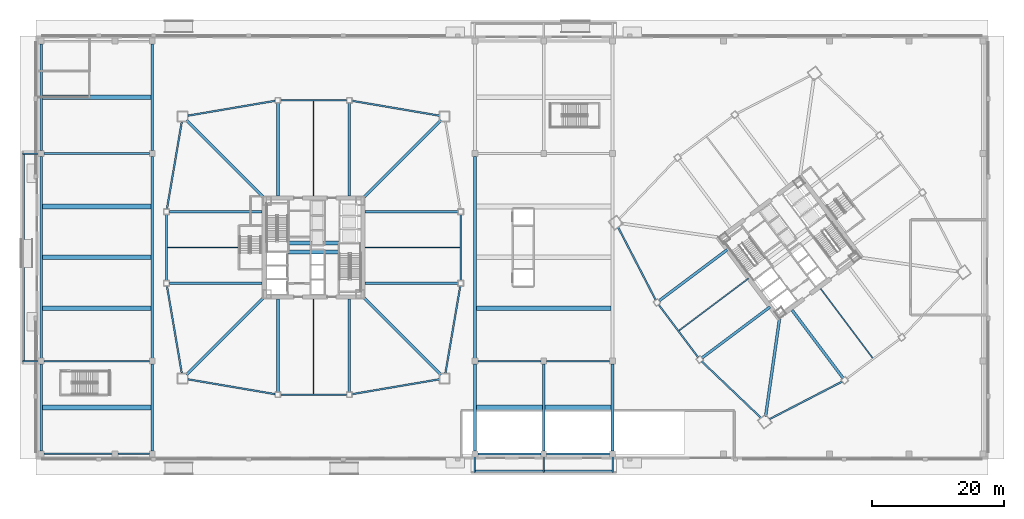
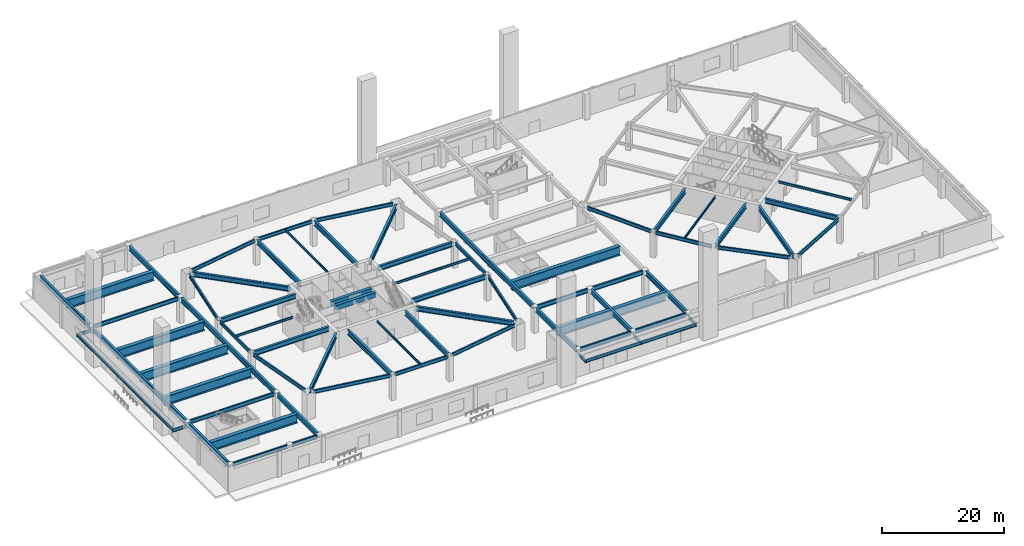
# One storey, part 5 of 26: 71 beams.
"""IFC4 building model written with IfcOpenShell, lengths in metres."""

from ifc_helpers import new_model, si_unit, direction, frame, origin, origin_2d, place, context, subcontext, project, spatial, rectangle, i_section, extrude, material, material_profile, profile_set, type_object, element, save


model = new_model("IFC4")

# Units and contexts
model_context = context("Model", 3, precision=1e-05, world=origin(), true_north=direction((0.0, 1.0)))
body_context = subcontext(model_context, "Body", "Model", "MODEL_VIEW")
ifc_project = project(units=[si_unit("LENGTHUNIT", "METRE"), si_unit("AREAUNIT", "SQUARE_METRE"), si_unit("VOLUMEUNIT", "CUBIC_METRE"), si_unit("PLANEANGLEUNIT", "RADIAN"), si_unit("MASSUNIT", "GRAM", prefix="KILO")], contexts=[model_context])

# Site, building, storey
site_placement = place(None, origin())
site = spatial("IfcSite", under=ifc_project, at=site_placement, CompositionType="ELEMENT")
building_placement = place(site_placement, origin())
building = spatial("IfcBuilding", under=site, at=building_placement, Name="Tashvorn Skyway Center", CompositionType="ELEMENT")
storey_placement = place(building_placement, origin())
storey = spatial("IfcBuildingStorey", under=building, at=storey_placement, Name="L00", CompositionType="ELEMENT", Elevation=0.0)

# Beams
ifc_material_1 = material(Name="Steel ASTM A572 Grade 50", Category="steel")
ifc_material_profile_1 = material_profile(ifc_material_1, i_section(OverallWidth=0.699951171875, OverallDepth=1.800048828125, WebThickness=0.031982421875, FlangeThickness=0.050048828125, at=origin_2d()), Name="PG1800x700")
ifc_profile_set_1 = profile_set([ifc_material_profile_1], Name="Steel ASTM A572 Grade 50")
beam_type_1 = type_object("IfcBeamType", Name="BM-BEAM-PG1800x700", PredefinedType="BEAM", material=ifc_profile_set_1)
beam_1_placement = place(storey_placement, frame((1.00146484375, 7.800048828125, 4.239990234375), z_axis=(1.0, 0.0, 0.0), x_axis=(0.0, 1.0, 0.0)))
element("IfcBeam", 1, at=beam_1_placement, inside=storey, type_object=beam_type_1, Name="L00 West Auditorium Span Girder 02", PredefinedType="BEAM", context=body_context, shape_type="SweptSolid", body=[
    extrude(i_section(OverallWidth=0.699951171875, OverallDepth=1.800048828125, WebThickness=0.031982421875, FlangeThickness=0.050048828125, at=origin_2d()), origin(), (0.0, 0.0, 1.0), 16.39697265625),
])
beam_2_placement = place(storey_placement, frame((66.6015625, 7.800048828125, 4.239990234375), z_axis=(1.0, 0.0, 0.0), x_axis=(0.0, 1.0, 0.0)))
element("IfcBeam", 2, at=beam_2_placement, inside=storey, type_object=beam_type_1, Name="L00 Central Concourse Span Girder 02", PredefinedType="BEAM", context=body_context, shape_type="SweptSolid", body=[
    extrude(i_section(OverallWidth=0.699951171875, OverallDepth=1.800048828125, WebThickness=0.031982421875, FlangeThickness=0.050048828125, at=origin_2d()), origin(), (0.0, 0.0, 1.0), 20.39697265625),
])
beam_3_placement = place(storey_placement, frame((1.00146484375, 22.800048828125, 4.239990234375), z_axis=(1.0, 0.0, 0.0), x_axis=(0.0, 1.0, 0.0)))
element("IfcBeam", 3, at=beam_3_placement, inside=storey, type_object=beam_type_1, Name="L00 West Auditorium Span Girder 04", PredefinedType="BEAM", context=body_context, shape_type="SweptSolid", body=[
    extrude(i_section(OverallWidth=0.699951171875, OverallDepth=1.800048828125, WebThickness=0.031982421875, FlangeThickness=0.050048828125, at=origin_2d()), origin(), (0.0, 0.0, 1.0), 16.39697265625),
])
beam_4_placement = place(storey_placement, frame((66.6015625, 22.800048828125, 4.239990234375), z_axis=(1.0, 0.0, 0.0), x_axis=(0.0, 1.0, 0.0)))
element("IfcBeam", 4, at=beam_4_placement, inside=storey, type_object=beam_type_1, Name="L00 Central Concourse Span Girder 04", PredefinedType="BEAM", context=body_context, shape_type="SweptSolid", body=[
    extrude(i_section(OverallWidth=0.699951171875, OverallDepth=1.800048828125, WebThickness=0.031982421875, FlangeThickness=0.050048828125, at=origin_2d()), origin(), (0.0, 0.0, 1.0), 20.39697265625),
])
for number, where, z_axis, x_axis, name in (
    (5, (1.00146484375, 30.5, 4.239990234375), (1.0, 0.0, 0.0), (0.0, 1.0, 0.0), "L00 West Auditorium Span Girder 05"),
    (6, (1.00146484375, 38.199951171875, 4.239990234375), (1.0, 0.0, 0.0), (0.0, 1.0, 0.0), "L00 West Auditorium Span Girder 06"),
    (7, (1.00146484375, 54.699951171875, 4.239990234375), (1.0, 0.0, 0.0), (0.0, 1.0, 0.0), "L00 West Auditorium Span Girder 08"),
):
    element("IfcBeam", number, at=place(storey_placement, frame(where, z_axis=z_axis, x_axis=x_axis)), inside=storey, type_object=beam_type_1, Name=name, PredefinedType="BEAM", context=body_context, shape_type="SweptSolid", body=[
        extrude(i_section(OverallWidth=0.699951171875, OverallDepth=1.800048828125, WebThickness=0.031982421875, FlangeThickness=0.050048828125, at=origin_2d()), origin(), (0.0, 0.0, 1.0), 16.39697265625),
    ])
ifc_material_2 = material(Name="Steel ASTM A992 Grade 50", Category="steel")
ifc_material_profile_2 = material_profile(ifc_material_2, i_section(OverallWidth=0.22998046875, OverallDepth=0.616943359375, WebThickness=0.01318359375, FlangeThickness=0.022216796875, at=origin_2d()), Name="W24X94")
ifc_profile_set_2 = profile_set([ifc_material_profile_2], Name="Steel ASTM A992 Grade 50")
beam_type_2 = type_object("IfcBeamType", Name="BM-BEAM-W24X94", PredefinedType="BEAM", material=ifc_profile_set_2)
for number, where, z_axis, x_axis, name in (
    (8, (66.39990234375, 0.800048828125, 4.1416015625), (0.0, -1.0, 0.0), (1.0, 0.0, 0.0), "L00 South Station Entrance Canopy Bracket 1"),
    (9, (76.800048828125, 0.800048828125, 4.1416015625), (0.0, -1.0, 0.0), (1.0, 0.0, 0.0), "L00 South Station Entrance Canopy Bracket 2"),
    (10, (87.199951171875, 0.800048828125, 4.1416015625), (0.0, -1.0, 0.0), (1.0, 0.0, 0.0), "L00 South Station Entrance Canopy Bracket 3"),
):
    element("IfcBeam", number, at=place(storey_placement, frame(where, z_axis=z_axis, x_axis=x_axis)), inside=storey, type_object=beam_type_2, Name=name, PredefinedType="BEAM", context=body_context, shape_type="SweptSolid", body=[
        extrude(i_section(OverallWidth=0.22998046875, OverallDepth=0.616943359375, WebThickness=0.01318359375, FlangeThickness=0.022216796875, at=origin_2d()), origin(), (0.0, 0.0, 1.0), 2.800048828125),
    ])
beam_5_placement = place(storey_placement, frame((66.39990234375, -1.800048828125, 4.1416015625), z_axis=(1.0, 0.0, 0.0), x_axis=(0.0, 1.0, 0.0)))
element("IfcBeam", 11, at=beam_5_placement, inside=storey, type_object=beam_type_2, Name="L00 South Station Canopy Edge Girder", PredefinedType="BEAM", context=body_context, shape_type="SweptSolid", body=[
    extrude(i_section(OverallWidth=0.22998046875, OverallDepth=0.616943359375, WebThickness=0.01318359375, FlangeThickness=0.022216796875, at=origin_2d()), origin(), (0.0, 0.0, 1.0), 20.800048828125),
])
for number, where, z_axis, x_axis, name in (
    (12, (0.800048828125, 14.800048828125, 4.1416015625), (-1.0, 0.0, 0.0), (0.0, -1.0, 0.0), "L00 West Station Entrance Canopy Bracket 1"),
    (13, (0.800048828125, 46.199951171875, 4.1416015625), (-1.0, 0.0, 0.0), (0.0, -1.0, 0.0), "L00 West Station Entrance Canopy Bracket 2"),
):
    element("IfcBeam", number, at=place(storey_placement, frame(where, z_axis=z_axis, x_axis=x_axis)), inside=storey, type_object=beam_type_2, Name=name, PredefinedType="BEAM", context=body_context, shape_type="SweptSolid", body=[
        extrude(i_section(OverallWidth=0.22998046875, OverallDepth=0.616943359375, WebThickness=0.01318359375, FlangeThickness=0.022216796875, at=origin_2d()), origin(), (0.0, 0.0, 1.0), 2.800048828125),
    ])
beam_6_placement = place(storey_placement, frame((-1.800048828125, 14.800048828125, 4.1416015625), z_axis=(0.0, 1.0, 0.0), x_axis=(-1.0, 0.0, 0.0)))
element("IfcBeam", 14, at=beam_6_placement, inside=storey, type_object=beam_type_2, Name="L00 West Station Canopy Edge Girder", PredefinedType="BEAM", context=body_context, shape_type="SweptSolid", body=[
    extrude(i_section(OverallWidth=0.22998046875, OverallDepth=0.616943359375, WebThickness=0.01318359375, FlangeThickness=0.022216796875, at=origin_2d()), origin(), (0.0, 0.0, 1.0), 31.39990234375),
])
ifc_material_profile_3 = material_profile(ifc_material_2, i_section(OverallWidth=0.26708984375, OverallDepth=0.779052734375, WebThickness=0.0166015625, FlangeThickness=0.030029296875, at=origin_2d()), Name="W30X148")
ifc_profile_set_3 = profile_set([ifc_material_profile_3], Name="Steel ASTM A992 Grade 50")
beam_type_3 = type_object("IfcBeamType", Name="BM-BEAM-W30X148", PredefinedType="BEAM", material=ifc_profile_set_3)
beam_7_placement = place(storey_placement, frame((1.2451171875, 0.800048828125, 4.75048828125), z_axis=(1.0, 0.0, 0.0), x_axis=(0.0, 1.0, 0.0)))
element("IfcBeam", 15, at=beam_7_placement, inside=storey, type_object=beam_type_3, Name="L00 West Edge Girder A 01", PredefinedType="BEAM", context=body_context, shape_type="SweptSolid", body=[
    extrude(i_section(OverallWidth=0.26708984375, OverallDepth=0.779052734375, WebThickness=0.0166015625, FlangeThickness=0.030029296875, at=origin_2d()), origin(), (0.0, 0.0, 1.0), 10.309814453125),
])
beam_8_placement = place(storey_placement, frame((12.445068359375, 0.800048828125, 4.75048828125), z_axis=(1.0, 0.0, 0.0), x_axis=(0.0, 1.0, 0.0)))
element("IfcBeam", 16, at=beam_8_placement, inside=storey, type_object=beam_type_3, Name="L00 West Edge Girder B 01", PredefinedType="BEAM", context=body_context, shape_type="SweptSolid", body=[
    extrude(i_section(OverallWidth=0.26708984375, OverallDepth=0.779052734375, WebThickness=0.0166015625, FlangeThickness=0.030029296875, at=origin_2d()), origin(), (0.0, 0.0, 1.0), 4.7099609375),
])
for number, where, z_axis, x_axis, name in (
    (17, (1.2451171875, 14.800048828125, 4.75048828125), (1.0, 0.0, 0.0), (0.0, 1.0, 0.0), "L00 West Auditorium Span Girder 03"),
    (18, (1.2451171875, 46.199951171875, 4.75048828125), (1.0, 0.0, 0.0), (0.0, 1.0, 0.0), "L00 West Auditorium Span Girder 07"),
):
    element("IfcBeam", number, at=place(storey_placement, frame(where, z_axis=z_axis, x_axis=x_axis)), inside=storey, type_object=beam_type_3, Name=name, PredefinedType="BEAM", context=body_context, shape_type="SweptSolid", body=[
        extrude(i_section(OverallWidth=0.26708984375, OverallDepth=0.779052734375, WebThickness=0.0166015625, FlangeThickness=0.030029296875, at=origin_2d()), origin(), (0.0, 0.0, 1.0), 15.909912109375),
    ])
ifc_material_profile_4 = material_profile(ifc_material_2, i_section(OverallWidth=0.2919921875, OverallDepth=0.85888671875, WebThickness=0.01708984375, FlangeThickness=0.031005859375, at=origin_2d()), Name="W33X169")
ifc_profile_set_4 = profile_set([ifc_material_profile_4], Name="Steel ASTM A992 Grade 50")
beam_type_4 = type_object("IfcBeamType", Name="BM-BEAM-W33X169", PredefinedType="BEAM", material=ifc_profile_set_4)
beam_9_placement = place(storey_placement, frame((66.844970703125, 0.800048828125, 4.71044921875), z_axis=(1.0, 0.0, 0.0), x_axis=(0.0, 1.0, 0.0)))
element("IfcBeam", 19, at=beam_9_placement, inside=storey, type_object=beam_type_4, Name="L00 Central Podium Girder A 01", PredefinedType="BEAM", context=body_context, shape_type="SweptSolid", body=[
    extrude(i_section(OverallWidth=0.2919921875, OverallDepth=0.85888671875, WebThickness=0.01708984375, FlangeThickness=0.031005859375, at=origin_2d()), origin(), (0.0, 0.0, 1.0), 9.510009765625),
])
beam_10_placement = place(storey_placement, frame((77.2451171875, 0.800048828125, 4.71044921875), z_axis=(1.0, 0.0, 0.0), x_axis=(0.0, 1.0, 0.0)))
element("IfcBeam", 20, at=beam_10_placement, inside=storey, type_object=beam_type_4, Name="L00 Central Podium Girder B 01", PredefinedType="BEAM", context=body_context, shape_type="SweptSolid", body=[
    extrude(i_section(OverallWidth=0.2919921875, OverallDepth=0.85888671875, WebThickness=0.01708984375, FlangeThickness=0.031005859375, at=origin_2d()), origin(), (0.0, 0.0, 1.0), 9.509765625),
])
beam_11_placement = place(storey_placement, frame((66.844970703125, 14.800048828125, 4.71044921875), z_axis=(1.0, 0.0, 0.0), x_axis=(0.0, 1.0, 0.0)))
element("IfcBeam", 21, at=beam_11_placement, inside=storey, type_object=beam_type_4, Name="L00 Central Podium Girder A 03", PredefinedType="BEAM", context=body_context, shape_type="SweptSolid", body=[
    extrude(i_section(OverallWidth=0.2919921875, OverallDepth=0.85888671875, WebThickness=0.01708984375, FlangeThickness=0.031005859375, at=origin_2d()), origin(), (0.0, 0.0, 1.0), 9.510009765625),
])
beam_12_placement = place(storey_placement, frame((77.2451171875, 14.800048828125, 4.71044921875), z_axis=(1.0, 0.0, 0.0), x_axis=(0.0, 1.0, 0.0)))
element("IfcBeam", 22, at=beam_12_placement, inside=storey, type_object=beam_type_4, Name="L00 Central Podium Girder B 03", PredefinedType="BEAM", context=body_context, shape_type="SweptSolid", body=[
    extrude(i_section(OverallWidth=0.2919921875, OverallDepth=0.85888671875, WebThickness=0.01708984375, FlangeThickness=0.031005859375, at=origin_2d()), origin(), (0.0, 0.0, 1.0), 9.509765625),
])
ifc_material_3 = material(Name="Steel ASTM A913 Grade 65", Category="steel")
ifc_material_profile_5 = material_profile(ifc_material_3, i_section(OverallWidth=0.4189453125, OverallDepth=0.927001953125, WebThickness=0.019287109375, FlangeThickness=0.031982421875, at=origin_2d()), Name="W36X231")
ifc_profile_set_5 = profile_set([ifc_material_profile_5], Name="Steel ASTM A913 Grade 65")
beam_type_5 = type_object("IfcBeamType", Name="BM-BEAM-W36X231", PredefinedType="BEAM", material=ifc_profile_set_5)
for number, where, z_axis, x_axis, name in (
    (23, (22.76220703125, 12.76220703125, 4.676513671875), (0.707106781187, 0.707106781187, 0.0), (-0.707106781187, 0.707106781187, 0.0), "Tower 1 L00 Primary Floor Girder MC-SW"),
    (24, (61.23779296875, 12.76220703125, 4.676513671875), (-0.707106781187, 0.707106781187, 0.0), (-0.707106781187, -0.707106781187, 0.0), "Tower 1 L00 Primary Floor Girder MC-SE"),
    (25, (61.23779296875, 51.23779296875, 4.676513671875), (-0.707106781187, -0.707106781187, 0.0), (0.707106781187, -0.707106781187, 0.0), "Tower 1 L00 Primary Floor Girder MC-NE"),
    (26, (22.76220703125, 51.23779296875, 4.676513671875), (0.707106781187, -0.707106781187, 0.0), (0.707106781187, 0.707106781187, 0.0), "Tower 1 L00 Primary Floor Girder MC-NW"),
):
    element("IfcBeam", number, at=place(storey_placement, frame(where, z_axis=z_axis, x_axis=x_axis)), inside=storey, type_object=beam_type_5, Name=name, PredefinedType="BEAM", context=body_context, shape_type="SweptSolid", body=[
        extrude(i_section(OverallWidth=0.4189453125, OverallDepth=0.927001953125, WebThickness=0.019287109375, FlangeThickness=0.031982421875, at=origin_2d()), origin(), (0.0, 0.0, 1.0), 16.591064453125),
    ])
for number, where, z_axis, x_axis, name in (
    (27, (36.60009765625, 10.169921875, 4.676513671875), (0.0, 1.0, 0.0), (-1.0, 0.0, 0.0), "Tower 1 L00 Primary Floor Girder FC-S1"),
    (28, (47.39990234375, 10.169921875, 4.676513671875), (0.0, 1.0, 0.0), (-1.0, 0.0, 0.0), "Tower 1 L00 Primary Floor Girder FC-S2"),
    (29, (63.830078125, 26.60009765625, 4.676513671875), (-1.0, 0.0, 0.0), (0.0, -1.0, 0.0), "Tower 1 L00 Primary Floor Girder FC-E1"),
    (30, (63.830078125, 37.39990234375, 4.676513671875), (-1.0, 0.0, 0.0), (0.0, -1.0, 0.0), "Tower 1 L00 Primary Floor Girder FC-E2"),
    (31, (47.39990234375, 53.830078125, 4.676513671875), (0.0, -1.0, 0.0), (1.0, 0.0, 0.0), "Tower 1 L00 Primary Floor Girder FC-N1"),
    (32, (36.60009765625, 53.830078125, 4.676513671875), (0.0, -1.0, 0.0), (1.0, 0.0, 0.0), "Tower 1 L00 Primary Floor Girder FC-N2"),
    (33, (20.169921875, 37.39990234375, 4.676513671875), (1.0, 0.0, 0.0), (0.0, 1.0, 0.0), "Tower 1 L00 Primary Floor Girder FC-W1"),
    (34, (20.169921875, 26.60009765625, 4.676513671875), (1.0, 0.0, 0.0), (0.0, 1.0, 0.0), "Tower 1 L00 Primary Floor Girder FC-W2"),
):
    element("IfcBeam", number, at=place(storey_placement, frame(where, z_axis=z_axis, x_axis=x_axis)), inside=storey, type_object=beam_type_5, Name=name, PredefinedType="BEAM", context=body_context, shape_type="SweptSolid", body=[
        extrude(i_section(OverallWidth=0.4189453125, OverallDepth=0.927001953125, WebThickness=0.019287109375, FlangeThickness=0.031982421875, at=origin_2d()), origin(), (0.0, 0.0, 1.0), 14.050048828125),
    ])
beam_13_placement = place(storey_placement, frame((110.3525390625, 6.467041015625, 4.676513671875), z_axis=(0.141414599991, 0.989950458816, 0.0), x_axis=(-0.989950458816, 0.141414599991, 0.0)))
element("IfcBeam", 35, at=beam_13_placement, inside=storey, type_object=beam_type_5, Name="Tower 2 L00 Primary Floor Girder MC-SW", PredefinedType="BEAM", context=body_context, shape_type="SweptSolid", body=[
    extrude(i_section(OverallWidth=0.4189453125, OverallDepth=0.927001953125, WebThickness=0.019287109375, FlangeThickness=0.031982421875, at=origin_2d()), origin(), (0.0, 0.0, 1.0), 15.177001953125),
])
for number, where, z_axis, x_axis, name in (
    (36, (122.05810546875, 12.256103515625, 4.676513671875), (-0.600018239213, 0.799986320265, 0.0), (-0.799986320265, -0.600018239213, 0.0), "Tower 2 L00 Primary Floor Girder FC-S1"),
    (37, (94.256103515625, 23.94189453125, 4.676513671875), (0.799986320265, 0.600018239213, 0.0), (-0.600018239213, 0.799986320265, 0.0), "Tower 2 L00 Primary Floor Girder FC-W1"),
):
    element("IfcBeam", number, at=place(storey_placement, frame(where, z_axis=z_axis, x_axis=x_axis)), inside=storey, type_object=beam_type_5, Name=name, PredefinedType="BEAM", context=body_context, shape_type="SweptSolid", body=[
        extrude(i_section(OverallWidth=0.4189453125, OverallDepth=0.927001953125, WebThickness=0.019287109375, FlangeThickness=0.031982421875, at=origin_2d()), origin(), (0.0, 0.0, 1.0), 12.849853515625),
    ])
beam_14_placement = place(storey_placement, frame((100.736083984375, 15.302001953125, 4.676513671875), z_axis=(0.800002279907, 0.599996960112, 0.0), x_axis=(-0.599996960112, 0.800002279907, 0.0)))
element("IfcBeam", 38, at=beam_14_placement, inside=storey, type_object=beam_type_5, Name="Tower 2 L00 Primary Floor Girder FC-W2", PredefinedType="BEAM", context=body_context, shape_type="SweptSolid", body=[
    extrude(i_section(OverallWidth=0.4189453125, OverallDepth=0.927001953125, WebThickness=0.019287109375, FlangeThickness=0.031982421875, at=origin_2d()), origin(), (0.0, 0.0, 1.0), 12.85009765625),
])
beam_15_placement = place(storey_placement, frame((0.800048828125, 1.2451171875, 4.676513671875), z_axis=(0.0, 1.0, 0.0), x_axis=(-1.0, 0.0, 0.0)))
element("IfcBeam", 39, at=beam_15_placement, inside=storey, type_object=beam_type_5, Name="L00 North-South Podium Girder 01-S", PredefinedType="BEAM", context=body_context, shape_type="SweptSolid", body=[
    extrude(i_section(OverallWidth=0.4189453125, OverallDepth=0.927001953125, WebThickness=0.019287109375, FlangeThickness=0.031982421875, at=origin_2d()), origin(), (0.0, 0.0, 1.0), 13.10986328125),
])
beam_16_placement = place(storey_placement, frame((0.800048828125, 15.2451171875, 4.676513671875), z_axis=(0.0, 1.0, 0.0), x_axis=(-1.0, 0.0, 0.0)))
element("IfcBeam", 40, at=beam_16_placement, inside=storey, type_object=beam_type_5, Name="L00 North-South Podium Girder 01-M", PredefinedType="BEAM", context=body_context, shape_type="SweptSolid", body=[
    extrude(i_section(OverallWidth=0.4189453125, OverallDepth=0.927001953125, WebThickness=0.019287109375, FlangeThickness=0.031982421875, at=origin_2d()), origin(), (0.0, 0.0, 1.0), 30.509765625),
])
beam_17_placement = place(storey_placement, frame((0.800048828125, 46.64501953125, 4.676513671875), z_axis=(0.0, 1.0, 0.0), x_axis=(-1.0, 0.0, 0.0)))
element("IfcBeam", 41, at=beam_17_placement, inside=storey, type_object=beam_type_5, Name="L00 North-South Podium Girder 01-N", PredefinedType="BEAM", context=body_context, shape_type="SweptSolid", body=[
    extrude(i_section(OverallWidth=0.4189453125, OverallDepth=0.927001953125, WebThickness=0.019287109375, FlangeThickness=0.031982421875, at=origin_2d()), origin(), (0.0, 0.0, 1.0), 16.10986328125),
])
beam_18_placement = place(storey_placement, frame((17.60009765625, 1.2451171875, 4.676513671875), z_axis=(0.0, 1.0, 0.0), x_axis=(-1.0, 0.0, 0.0)))
element("IfcBeam", 42, at=beam_18_placement, inside=storey, type_object=beam_type_5, Name="L00 North-South Podium Girder 02-S", PredefinedType="BEAM", context=body_context, shape_type="SweptSolid", body=[
    extrude(i_section(OverallWidth=0.4189453125, OverallDepth=0.927001953125, WebThickness=0.019287109375, FlangeThickness=0.031982421875, at=origin_2d()), origin(), (0.0, 0.0, 1.0), 13.10986328125),
])
beam_19_placement = place(storey_placement, frame((17.60009765625, 15.2451171875, 4.676513671875), z_axis=(0.0, 1.0, 0.0), x_axis=(-1.0, 0.0, 0.0)))
element("IfcBeam", 43, at=beam_19_placement, inside=storey, type_object=beam_type_5, Name="L00 North-South Podium Girder 02-M", PredefinedType="BEAM", context=body_context, shape_type="SweptSolid", body=[
    extrude(i_section(OverallWidth=0.4189453125, OverallDepth=0.927001953125, WebThickness=0.019287109375, FlangeThickness=0.031982421875, at=origin_2d()), origin(), (0.0, 0.0, 1.0), 30.509765625),
])
beam_20_placement = place(storey_placement, frame((17.60009765625, 46.64501953125, 4.676513671875), z_axis=(0.0, 1.0, 0.0), x_axis=(-1.0, 0.0, 0.0)))
element("IfcBeam", 44, at=beam_20_placement, inside=storey, type_object=beam_type_5, Name="L00 North-South Podium Girder 02-N", PredefinedType="BEAM", context=body_context, shape_type="SweptSolid", body=[
    extrude(i_section(OverallWidth=0.4189453125, OverallDepth=0.927001953125, WebThickness=0.019287109375, FlangeThickness=0.031982421875, at=origin_2d()), origin(), (0.0, 0.0, 1.0), 16.10986328125),
])
beam_21_placement = place(storey_placement, frame((66.39990234375, 1.2451171875, 4.676513671875), z_axis=(0.0, 1.0, 0.0), x_axis=(-1.0, 0.0, 0.0)))
element("IfcBeam", 45, at=beam_21_placement, inside=storey, type_object=beam_type_5, Name="L00 North-South Podium Girder 03-S", PredefinedType="BEAM", context=body_context, shape_type="SweptSolid", body=[
    extrude(i_section(OverallWidth=0.4189453125, OverallDepth=0.927001953125, WebThickness=0.019287109375, FlangeThickness=0.031982421875, at=origin_2d()), origin(), (0.0, 0.0, 1.0), 13.10986328125),
])
beam_22_placement = place(storey_placement, frame((66.39990234375, 15.2451171875, 4.676513671875), z_axis=(0.0, 1.0, 0.0), x_axis=(-1.0, 0.0, 0.0)))
element("IfcBeam", 46, at=beam_22_placement, inside=storey, type_object=beam_type_5, Name="L00 North-South Podium Girder 03-M", PredefinedType="BEAM", context=body_context, shape_type="SweptSolid", body=[
    extrude(i_section(OverallWidth=0.4189453125, OverallDepth=0.927001953125, WebThickness=0.019287109375, FlangeThickness=0.031982421875, at=origin_2d()), origin(), (0.0, 0.0, 1.0), 30.509765625),
])
for number, where, z_axis, x_axis, name in (
    (47, (76.800048828125, 1.2451171875, 4.676513671875), (0.0, 1.0, 0.0), (-1.0, 0.0, 0.0), "L00 North-South Podium Girder 04-S"),
    (48, (87.199951171875, 1.2451171875, 4.676513671875), (0.0, 1.0, 0.0), (-1.0, 0.0, 0.0), "L00 North-South Podium Girder 05-S"),
):
    element("IfcBeam", number, at=place(storey_placement, frame(where, z_axis=z_axis, x_axis=x_axis)), inside=storey, type_object=beam_type_5, Name=name, PredefinedType="BEAM", context=body_context, shape_type="SweptSolid", body=[
        extrude(i_section(OverallWidth=0.4189453125, OverallDepth=0.927001953125, WebThickness=0.019287109375, FlangeThickness=0.031982421875, at=origin_2d()), origin(), (0.0, 0.0, 1.0), 13.10986328125),
    ])
ifc_material_profile_6 = material_profile(ifc_material_2, i_section(OverallWidth=0.19091796875, OverallDepth=0.4599609375, WebThickness=0.010009765625, FlangeThickness=0.01611328125, at=origin_2d()), Name="W18X55")
ifc_profile_set_6 = profile_set([ifc_material_profile_6], Name="Steel ASTM A992 Grade 50")
beam_type_6 = type_object("IfcBeamType", Name="BM-JOIST-W18X55", PredefinedType="JOIST", material=ifc_profile_set_6)
for number, where, z_axis, x_axis, name in (
    (49, (42.0, 24.2099609375, 4.909912109375), (0.0, -1.0, 0.0), (1.0, 0.0, 0.0), "Tower 1 L00 Secondary Composite Joist JS"),
    (50, (42.0, 39.7900390625, 4.909912109375), (0.0, 1.0, 0.0), (-1.0, 0.0, 0.0), "Tower 1 L00 Secondary Composite Joist JN"),
    (51, (49.7900390625, 32.0, 4.909912109375), (1.0, 0.0, 0.0), (0.0, 1.0, 0.0), "Tower 1 L00 Secondary Composite Joist JE"),
):
    element("IfcBeam", number, at=place(storey_placement, frame(where, z_axis=z_axis, x_axis=x_axis)), inside=storey, type_object=beam_type_6, Name=name, PredefinedType="JOIST", context=body_context, shape_type="SweptSolid", body=[
        extrude(i_section(OverallWidth=0.19091796875, OverallDepth=0.4599609375, WebThickness=0.010009765625, FlangeThickness=0.01611328125, at=origin_2d()), origin(), (0.0, 0.0, 1.0), 14.33984375),
    ])
beam_23_placement = place(storey_placement, frame((30.610107421875, 32.0, 4.909912109375), z_axis=(-1.0, 0.0, 0.0), x_axis=(0.0, -1.0, 0.0)))
element("IfcBeam", 52, at=beam_23_placement, inside=storey, type_object=beam_type_6, Name="Tower 1 L00 Secondary Composite Joist JW", PredefinedType="JOIST", context=body_context, shape_type="SweptSolid", body=[
    extrude(i_section(OverallWidth=0.19091796875, OverallDepth=0.4599609375, WebThickness=0.010009765625, FlangeThickness=0.01611328125, at=origin_2d()), origin(), (0.0, 0.0, 1.0), 10.739990234375),
])
for number, where, z_axis, x_axis, name in (
    (53, (118.674072265625, 25.76806640625, 4.909912109375), (0.600002972791, -0.799997770398, 0.0), (0.799997770398, 0.600002972791, 0.0), "Tower 2 L00 Secondary Composite Joist JS"),
    (54, (107.76806640625, 27.325927734375, 4.909912109375), (-0.799997770398, -0.600002972791, 0.0), (0.600002972791, -0.799997770398, 0.0), "Tower 2 L00 Secondary Composite Joist JW"),
):
    element("IfcBeam", number, at=place(storey_placement, frame(where, z_axis=z_axis, x_axis=x_axis)), inside=storey, type_object=beam_type_6, Name=name, PredefinedType="JOIST", context=body_context, shape_type="SweptSolid", body=[
        extrude(i_section(OverallWidth=0.19091796875, OverallDepth=0.4599609375, WebThickness=0.010009765625, FlangeThickness=0.01611328125, at=origin_2d()), origin(), (0.0, 0.0, 1.0), 13.139892578125),
    ])
ifc_material_4 = material(Name="Concrete C60/75", Category="concrete")
ifc_material_profile_7 = material_profile(ifc_material_4, rectangle(XDim=0.60009765625, YDim=0.949951171875, at=origin_2d()), Name="RCB600x950")
ifc_profile_set_7 = profile_set([ifc_material_profile_7], Name="Concrete C60/75")
beam_type_7 = type_object("IfcBeamType", Name="BM-LINTEL-RCB600x950", PredefinedType="LINTEL", material=ifc_profile_set_7)
for number, where, z_axis, x_axis, name in (
    (55, (38.199951171875, 32.679931640625, 4.6650390625), (1.0, 0.0, 0.0), (0.0, 1.0, 0.0), "Tower 1 L00 Core Coupling Beam CN"),
    (56, (38.199951171875, 31.320068359375, 4.6650390625), (1.0, 0.0, 0.0), (0.0, 1.0, 0.0), "Tower 1 L00 Core Coupling Beam CS"),
):
    element("IfcBeam", number, at=place(storey_placement, frame(where, z_axis=z_axis, x_axis=x_axis)), inside=storey, type_object=beam_type_7, Name=name, PredefinedType="LINTEL", context=body_context, shape_type="SweptSolid", body=[
        extrude(rectangle(XDim=0.60009765625, YDim=0.949951171875, at=origin_2d()), origin(), (0.0, 0.0, 1.0), 7.60009765625),
    ])
ifc_material_profile_8 = material_profile(ifc_material_2, i_section(OverallWidth=0.256103515625, OverallDepth=0.693115234375, WebThickness=0.014404296875, FlangeThickness=0.023681640625, at=origin_2d()), Name="W27X114")
ifc_profile_set_8 = profile_set([ifc_material_profile_8], Name="Steel ASTM A992 Grade 50")
beam_type_8 = type_object("IfcBeamType", Name="BM-SPANDREL-W27X114", PredefinedType="SPANDREL", material=ifc_profile_set_8)
beam_24_placement = place(storey_placement, frame((22.983642578125, 12.066650390625, 4.79345703125), z_axis=(0.985835025551, -0.16771792509, 0.0), x_axis=(0.16771792509, 0.985835025551, 0.0)))
element("IfcBeam", 57, at=beam_24_placement, inside=storey, type_object=beam_type_8, Name="Tower 1 L00 Spandrel Beam 01", PredefinedType="SPANDREL", context=body_context, shape_type="SweptSolid", body=[
    extrude(i_section(OverallWidth=0.256103515625, OverallDepth=0.693115234375, WebThickness=0.014404296875, FlangeThickness=0.023681640625, at=origin_2d()), origin(), (0.0, 0.0, 1.0), 13.39208984375),
])
beam_25_placement = place(storey_placement, frame((37.02001953125, 9.75, 4.79345703125), z_axis=(1.0, 0.0, 0.0), x_axis=(0.0, 1.0, 0.0)))
element("IfcBeam", 58, at=beam_25_placement, inside=storey, type_object=beam_type_8, Name="Tower 1 L00 Spandrel Beam 02", PredefinedType="SPANDREL", context=body_context, shape_type="SweptSolid", body=[
    extrude(i_section(OverallWidth=0.256103515625, OverallDepth=0.693115234375, WebThickness=0.014404296875, FlangeThickness=0.023681640625, at=origin_2d()), origin(), (0.0, 0.0, 1.0), 9.9599609375),
])
for number, where, z_axis, x_axis, name in (
    (59, (47.81396484375, 9.820556640625, 4.79345703125), (0.985835025551, 0.16771792509, 0.0), (-0.16771792509, 0.985835025551, 0.0), "Tower 1 L00 Spandrel Beam 03"),
    (60, (61.933349609375, 12.983642578125, 4.79345703125), (0.16771792509, 0.985835025551, 0.0), (-0.985835025551, 0.16771792509, 0.0), "Tower 1 L00 Spandrel Beam 04"),
):
    element("IfcBeam", number, at=place(storey_placement, frame(where, z_axis=z_axis, x_axis=x_axis)), inside=storey, type_object=beam_type_8, Name=name, PredefinedType="SPANDREL", context=body_context, shape_type="SweptSolid", body=[
        extrude(i_section(OverallWidth=0.256103515625, OverallDepth=0.693115234375, WebThickness=0.014404296875, FlangeThickness=0.023681640625, at=origin_2d()), origin(), (0.0, 0.0, 1.0), 13.39208984375),
    ])
beam_26_placement = place(storey_placement, frame((64.25, 27.02001953125, 4.79345703125), z_axis=(0.0, 1.0, 0.0), x_axis=(-1.0, 0.0, 0.0)))
element("IfcBeam", 61, at=beam_26_placement, inside=storey, type_object=beam_type_8, Name="Tower 1 L00 Spandrel Beam 05", PredefinedType="SPANDREL", context=body_context, shape_type="SweptSolid", body=[
    extrude(i_section(OverallWidth=0.256103515625, OverallDepth=0.693115234375, WebThickness=0.014404296875, FlangeThickness=0.023681640625, at=origin_2d()), origin(), (0.0, 0.0, 1.0), 9.9599609375),
])
beam_27_placement = place(storey_placement, frame((61.016357421875, 51.933349609375, 4.79345703125), z_axis=(-0.985835025551, 0.16771792509, 0.0), x_axis=(-0.16771792509, -0.985835025551, 0.0)))
element("IfcBeam", 62, at=beam_27_placement, inside=storey, type_object=beam_type_8, Name="Tower 1 L00 Spandrel Beam 07", PredefinedType="SPANDREL", context=body_context, shape_type="SweptSolid", body=[
    extrude(i_section(OverallWidth=0.256103515625, OverallDepth=0.693115234375, WebThickness=0.014404296875, FlangeThickness=0.023681640625, at=origin_2d()), origin(), (0.0, 0.0, 1.0), 13.39208984375),
])
beam_28_placement = place(storey_placement, frame((46.97998046875, 54.25, 4.79345703125), z_axis=(-1.0, 0.0, 0.0), x_axis=(0.0, -1.0, 0.0)))
element("IfcBeam", 63, at=beam_28_placement, inside=storey, type_object=beam_type_8, Name="Tower 1 L00 Spandrel Beam 08", PredefinedType="SPANDREL", context=body_context, shape_type="SweptSolid", body=[
    extrude(i_section(OverallWidth=0.256103515625, OverallDepth=0.693115234375, WebThickness=0.014404296875, FlangeThickness=0.023681640625, at=origin_2d()), origin(), (0.0, 0.0, 1.0), 9.9599609375),
])
for number, where, z_axis, x_axis, name in (
    (64, (36.18603515625, 54.179443359375, 4.79345703125), (-0.985835025551, -0.16771792509, 0.0), (0.16771792509, -0.985835025551, 0.0), "Tower 1 L00 Spandrel Beam 09"),
    (65, (22.066650390625, 51.016357421875, 4.79345703125), (-0.16771792509, -0.985835025551, 0.0), (0.985835025551, -0.16771792509, 0.0), "Tower 1 L00 Spandrel Beam 10"),
):
    element("IfcBeam", number, at=place(storey_placement, frame(where, z_axis=z_axis, x_axis=x_axis)), inside=storey, type_object=beam_type_8, Name=name, PredefinedType="SPANDREL", context=body_context, shape_type="SweptSolid", body=[
        extrude(i_section(OverallWidth=0.256103515625, OverallDepth=0.693115234375, WebThickness=0.014404296875, FlangeThickness=0.023681640625, at=origin_2d()), origin(), (0.0, 0.0, 1.0), 13.39208984375),
    ])
beam_29_placement = place(storey_placement, frame((19.75, 36.97998046875, 4.79345703125), z_axis=(0.0, -1.0, 0.0), x_axis=(1.0, 0.0, 0.0)))
element("IfcBeam", 66, at=beam_29_placement, inside=storey, type_object=beam_type_8, Name="Tower 1 L00 Spandrel Beam 11", PredefinedType="SPANDREL", context=body_context, shape_type="SweptSolid", body=[
    extrude(i_section(OverallWidth=0.256103515625, OverallDepth=0.693115234375, WebThickness=0.014404296875, FlangeThickness=0.023681640625, at=origin_2d()), origin(), (0.0, 0.0, 1.0), 9.9599609375),
])
beam_30_placement = place(storey_placement, frame((19.820556640625, 26.18603515625, 4.79345703125), z_axis=(0.16771792509, -0.985835025551, 0.0), x_axis=(0.985835025551, 0.16771792509, 0.0)))
element("IfcBeam", 67, at=beam_30_placement, inside=storey, type_object=beam_type_8, Name="Tower 1 L00 Spandrel Beam 12", PredefinedType="SPANDREL", context=body_context, shape_type="SweptSolid", body=[
    extrude(i_section(OverallWidth=0.256103515625, OverallDepth=0.693115234375, WebThickness=0.014404296875, FlangeThickness=0.023681640625, at=origin_2d()), origin(), (0.0, 0.0, 1.0), 13.39208984375),
])
for number, where, z_axis, x_axis, name in (
    (68, (110.9462890625, 6.045166015625, 4.79345703125), (0.888315637339, 0.459233413919, 0.0), (-0.459233413919, 0.888315637339, 0.0), "Tower 2 L00 Spandrel Beam 01"),
    (69, (88.045166015625, 35.0537109375, 4.79345703125), (0.459233413919, -0.888315637339, 0.0), (0.888315637339, 0.459233413919, 0.0), "Tower 2 L00 Spandrel Beam 10"),
):
    element("IfcBeam", number, at=place(storey_placement, frame(where, z_axis=z_axis, x_axis=x_axis)), inside=storey, type_object=beam_type_8, Name=name, PredefinedType="SPANDREL", context=body_context, shape_type="SweptSolid", body=[
        extrude(i_section(OverallWidth=0.256103515625, OverallDepth=0.693115234375, WebThickness=0.014404296875, FlangeThickness=0.023681640625, at=origin_2d()), origin(), (0.0, 0.0, 1.0), 12.37255859375),
    ])
beam_31_placement = place(storey_placement, frame((94.172119140625, 23.35400390625, 4.79345703125), z_axis=(0.599988234018, -0.800008824351, 0.0), x_axis=(0.800008824351, 0.599988234018, 0.0)))
element("IfcBeam", 70, at=beam_31_placement, inside=storey, type_object=beam_type_8, Name="Tower 2 L00 Spandrel Beam 11", PredefinedType="SPANDREL", context=body_context, shape_type="SweptSolid", body=[
    extrude(i_section(OverallWidth=0.256103515625, OverallDepth=0.693115234375, WebThickness=0.014404296875, FlangeThickness=0.023681640625, at=origin_2d()), origin(), (0.0, 0.0, 1.0), 9.9599609375),
])
beam_32_placement = place(storey_placement, frame((100.7041015625, 14.76025390625, 4.79345703125), z_axis=(0.724200339835, -0.689589637236, 0.0), x_axis=(0.689589637236, 0.724200339835, 0.0)))
element("IfcBeam", 71, at=beam_32_placement, inside=storey, type_object=beam_type_8, Name="Tower 2 L00 Spandrel Beam 12", PredefinedType="SPANDREL", context=body_context, shape_type="SweptSolid", body=[
    extrude(i_section(OverallWidth=0.256103515625, OverallDepth=0.693115234375, WebThickness=0.014404296875, FlangeThickness=0.023681640625, at=origin_2d()), origin(), (0.0, 0.0, 1.0), 12.37255859375),
])

save(model, "model.ifc")
